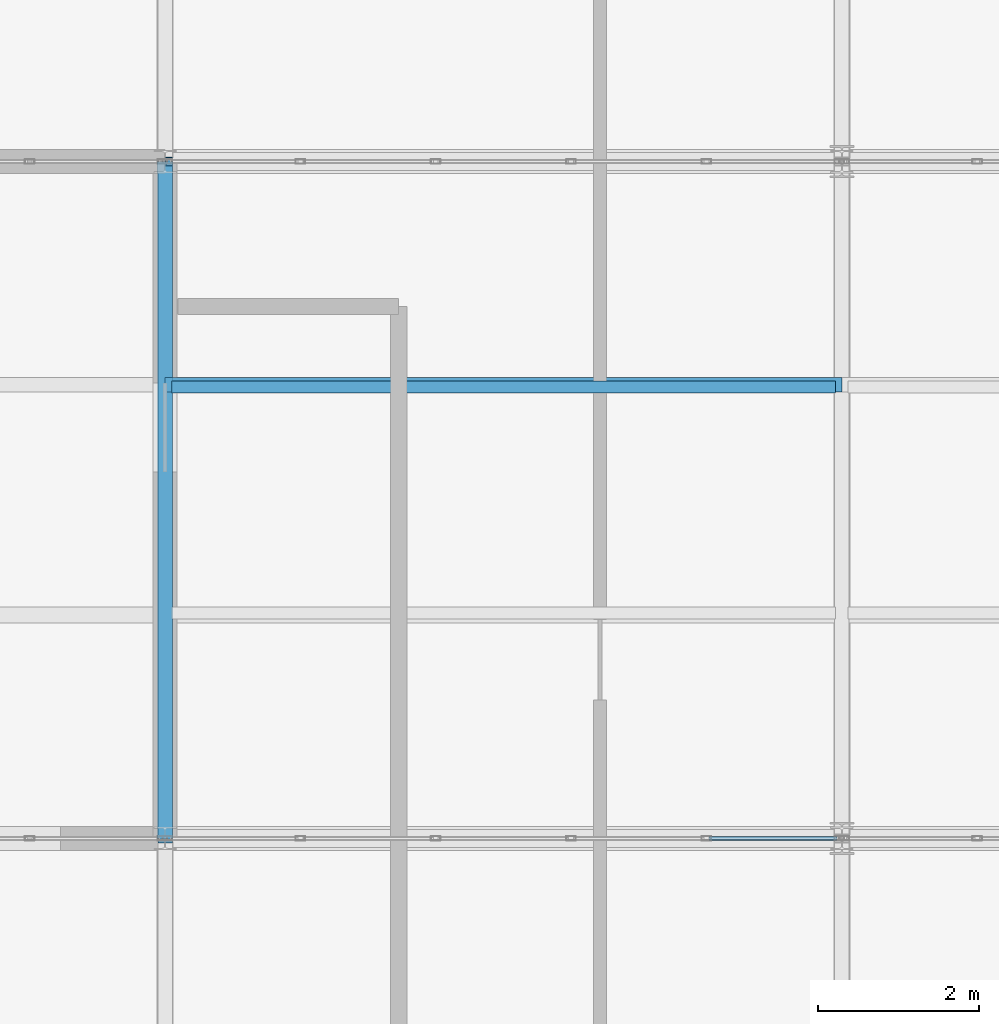
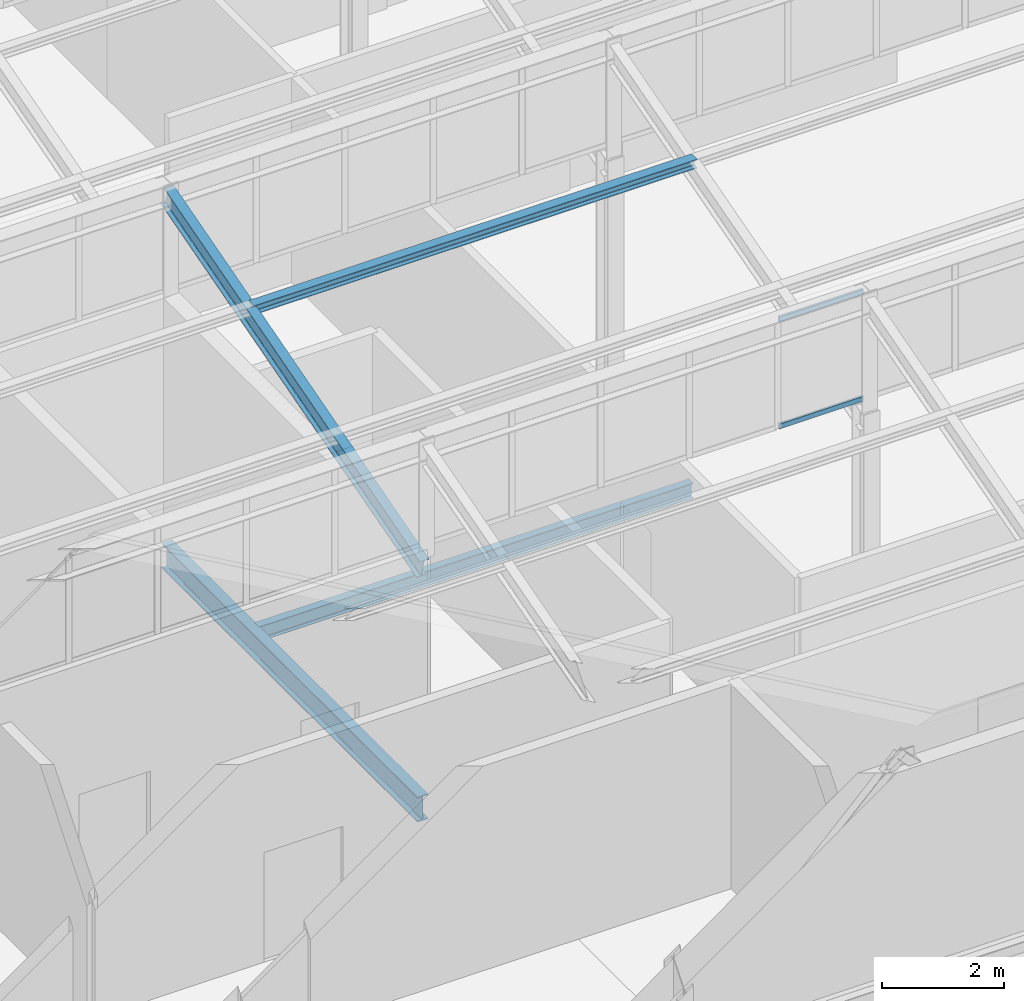
# One storey, part 11 of 53: 3 beams, 3 members, 1 element without a shape of its own.
"""IFC4 building model written with IfcOpenShell, lengths in metres."""

from ifc_helpers import new_model, si_unit, direction, frame, origin, origin_2d, place, context, subcontext, project, spatial, hollow_rectangle, i_section, extrude, material, layer, layer_set, material_profile, profile_set, type_object, element, aggregate, save


model = new_model("IFC4")

# Units and contexts
model_context = context("Model", 3, precision=1e-05, world=origin(), true_north=direction((0.0, 1.0)))
body_context = subcontext(model_context, "Body", "Model", "MODEL_VIEW")
ifc_project = project(units=[si_unit("LENGTHUNIT", "METRE"), si_unit("AREAUNIT", "SQUARE_METRE"), si_unit("VOLUMEUNIT", "CUBIC_METRE"), si_unit("PLANEANGLEUNIT", "RADIAN"), si_unit("MASSUNIT", "GRAM", prefix="KILO")], contexts=[model_context])

# Site, building, storey
site_placement = place(None, origin())
site = spatial("IfcSite", under=ifc_project, at=site_placement, CompositionType="ELEMENT")
building_placement = place(site_placement, origin())
building = spatial("IfcBuilding", under=site, at=building_placement, Name="Qalvenar Corner Mobility Hub", CompositionType="ELEMENT")
storey_placement = place(building_placement, frame((0.0, 0.0, 26.39990234375)))
storey = spatial("IfcBuildingStorey", under=building, at=storey_placement, Name="L06", CompositionType="ELEMENT", Elevation=26.39990234375)

# Beams
ifc_material_1 = material(Name="Steel S355", Category="steel")
ifc_material_profile_1 = material_profile(ifc_material_1, i_section(OverallWidth=0.179931640625, OverallDepth=0.39990234375, WebThickness=0.008544921875, FlangeThickness=0.013427734375, FilletRadius=0.02099609375, at=origin_2d()), Name="IPE400")
ifc_profile_set_1 = profile_set([ifc_material_profile_1], Name="Steel S355")
beam_type_1 = type_object("IfcBeamType", Name="BM-IPE400", PredefinedType="BEAM", material=ifc_profile_set_1)
beam_1_placement = place(storey_placement, frame((16.800048828125, 8.39990234375, 4.340087890625), z_axis=(0.0, 0.961528165748, 0.274706364092), x_axis=(-1.0, 0.0, 0.0)))
element("IfcBeam", 1, at=beam_1_placement, inside=storey, type_object=beam_type_1, Name="Sawtooth Rafter V3RF-2-3", PredefinedType="BEAM", context=body_context, shape_type="SweptSolid", body=[
    extrude(i_section(OverallWidth=0.179931640625, OverallDepth=0.39990234375, WebThickness=0.008544921875, FlangeThickness=0.013427734375, FilletRadius=0.02099609375, at=origin_2d()), origin(), (0.0, 0.0, 1.0), 8.736328125),
])
ifc_material_profile_2 = material_profile(ifc_material_1, i_section(OverallWidth=0.199951171875, OverallDepth=0.5, WebThickness=0.01025390625, FlangeThickness=0.01611328125, FilletRadius=0.02099609375, at=origin_2d()), Name="IPE500")
ifc_profile_set_2 = profile_set([ifc_material_profile_2], Name="Steel S355")
beam_type_2 = type_object("IfcBeamType", Name="BM-IPE500", PredefinedType="BEAM", material=ifc_profile_set_2)
beam_2_placement = place(storey_placement, frame((16.800048828125, 8.39990234375, -0.469970703125), z_axis=(0.0, 1.0, 0.0), x_axis=(-1.0, 0.0, 0.0)))
element("IfcBeam", 2, at=beam_2_placement, inside=storey, type_object=beam_type_2, Name="Primary Steel Girder GY-3086", PredefinedType="BEAM", context=body_context, shape_type="SweptSolid", body=[
    extrude(i_section(OverallWidth=0.199951171875, OverallDepth=0.5, WebThickness=0.01025390625, FlangeThickness=0.01611328125, FilletRadius=0.02099609375, at=origin_2d()), origin(), (0.0, 0.0, 1.0), 8.400146484375),
])
ifc_material_profile_3 = material_profile(ifc_material_1, i_section(OverallWidth=0.14990234375, OverallDepth=0.300048828125, WebThickness=0.007080078125, FlangeThickness=0.0107421875, FilletRadius=0.014892578125, at=origin_2d()), Name="IPE300")
ifc_profile_set_3 = profile_set([ifc_material_profile_3], Name="Steel S355")
beam_type_3 = type_object("IfcBeamType", Name="BM-JST300", PredefinedType="JOIST", material=ifc_profile_set_3)
beam_3_placement = place(storey_placement, frame((16.8779296875, 14.0, -0.369873046875), z_axis=(1.0, 0.0, 0.0), x_axis=(0.0, 1.0, 0.0)))
element("IfcBeam", 3, at=beam_3_placement, inside=storey, type_object=beam_type_3, Name="Composite Floor Joist J-3119", PredefinedType="JOIST", context=body_context, shape_type="SweptSolid", body=[
    extrude(i_section(OverallWidth=0.14990234375, OverallDepth=0.300048828125, WebThickness=0.007080078125, FlangeThickness=0.0107421875, FilletRadius=0.014892578125, at=origin_2d()), origin(), (0.0, 0.0, 1.0), 8.244140625),
])

# Curtain wall, members
ifc_material_2 = material(Name="Anodised Aluminium and Low-E Glazing", Category="aluminium")
ifc_layer = layer(ifc_material_2, 0.1201171875)
ifc_layer_set = layer_set([ifc_layer], Name="Anodised Aluminium and Low-E Glazing")
curtain_wall_type = type_object("IfcCurtainWallType", Name="CW-CLR-84X24", PredefinedType="NOTDEFINED", material=ifc_layer_set)
curtain_wall_placement = place(storey_placement, origin())
curtain_wall = element("IfcCurtainWall", 4, at=curtain_wall_placement, inside=storey, type_object=curtain_wall_type, Name="Glazed Curtain Wall CW-V3-SAW-1-2", PredefinedType="NOTDEFINED")
ifc_material_3 = material(Name="Anodised Aluminium 6063-T6", Category="aluminium")
ifc_material_profile_4 = material_profile(ifc_material_3, hollow_rectangle(XDim=0.050048828125, YDim=0.10009765625, WallThickness=0.0029296875, InnerFilletRadius=0.0029296875, OuterFilletRadius=0.006103515625, at=origin_2d()), Name="RHS100x50x3")
ifc_profile_set_4 = profile_set([ifc_material_profile_4], Name="Anodised Aluminium 6063-T6")
member_type_1 = type_object("IfcMemberType", Name="CW-TRN100", PredefinedType="USERDEFINED", material=ifc_profile_set_4)
member_1_placement = place(storey_placement, frame((25.139892578125, 8.39990234375, 4.82763671875), z_axis=(-1.0, 0.0, 0.0), x_axis=(0.0, -1.0, 0.0)))
member_1 = element("IfcMember", 5, at=member_1_placement, type_object=member_type_1, Name="CW-12 transom 1.1", ObjectType="TRANSOM", PredefinedType="USERDEFINED", context=body_context, shape_type="SweptSolid", body=[
    extrude(hollow_rectangle(XDim=0.050048828125, YDim=0.10009765625, WallThickness=0.0029296875, InnerFilletRadius=0.0029296875, OuterFilletRadius=0.006103515625, at=origin_2d()), origin(), (0.0, 0.0, 1.0), 1.58984375),
])
member_2_placement = place(storey_placement, frame((25.139892578125, 8.39990234375, 6.97265625), z_axis=(-1.0, 0.0, 0.0), x_axis=(0.0, -1.0, 0.0)))
member_2 = element("IfcMember", 6, at=member_2_placement, type_object=member_type_1, Name="CW-12 transom 1.2", ObjectType="TRANSOM", PredefinedType="USERDEFINED", context=body_context, shape_type="SweptSolid", body=[
    extrude(hollow_rectangle(XDim=0.050048828125, YDim=0.10009765625, WallThickness=0.0029296875, InnerFilletRadius=0.0029296875, OuterFilletRadius=0.006103515625, at=origin_2d()), origin(), (0.0, 0.0, 1.0), 1.58984375),
])
aggregate(curtain_wall, [member_1, member_2])

# Member
ifc_material_profile_5 = material_profile(ifc_material_1, i_section(OverallWidth=0.179931640625, OverallDepth=0.179931640625, WebThickness=0.008544921875, FlangeThickness=0.013916015625, FilletRadius=0.014892578125, at=origin_2d()), Name="HEB180")
ifc_profile_set_5 = profile_set([ifc_material_profile_5], Name="Steel S355")
member_type_2 = type_object("IfcMemberType", Name="PR-RHS180", PredefinedType="PURLIN", material=ifc_profile_set_5)
member_3_placement = place(storey_placement, frame((16.800048828125, 14.028076171875, 6.148193359375), z_axis=(1.0, 0.0, 0.0), x_axis=(0.0, 1.0, 0.0)))
element("IfcMember", 7, at=member_3_placement, inside=storey, type_object=member_type_2, Name="Sawtooth Roof Purlin PR-V3-2-3-67", PredefinedType="PURLIN", context=body_context, shape_type="SweptSolid", body=[
    extrude(i_section(OverallWidth=0.179931640625, OverallDepth=0.179931640625, WebThickness=0.008544921875, FlangeThickness=0.013916015625, FilletRadius=0.014892578125, at=origin_2d()), origin(), (0.0, 0.0, 1.0), 8.39990234375),
])

save(model, "model.ifc")
